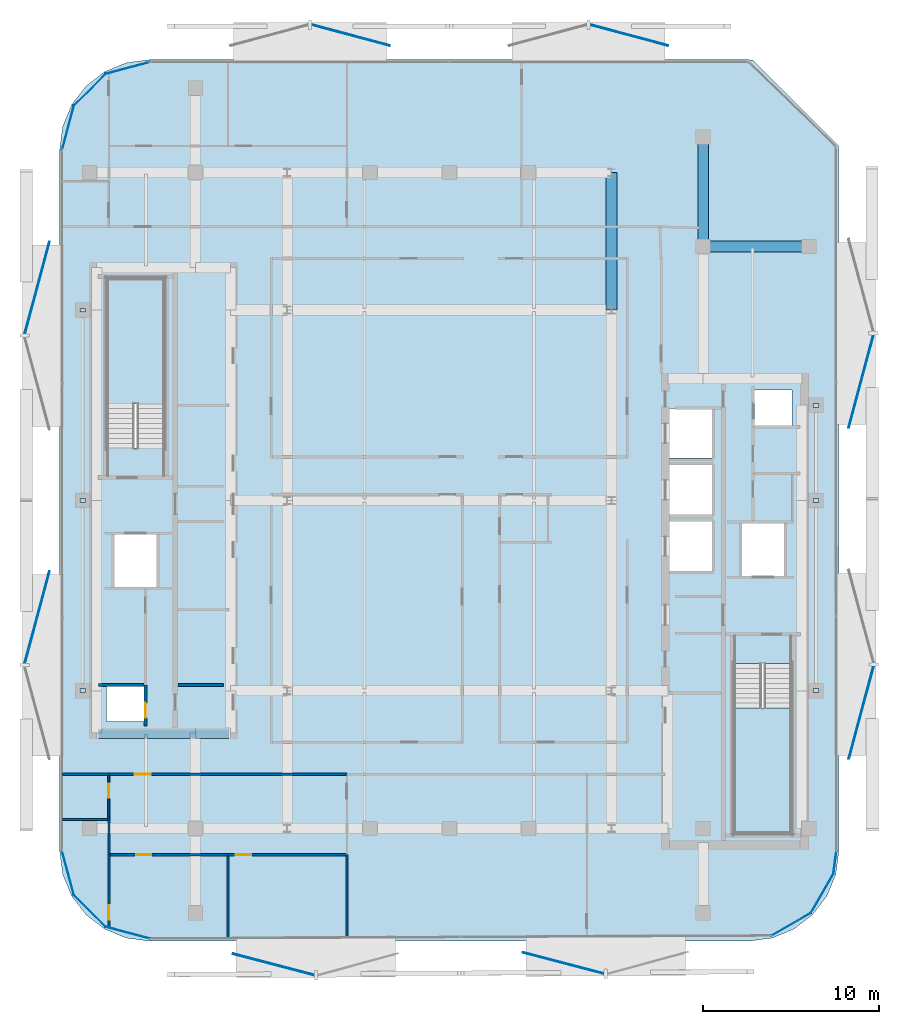
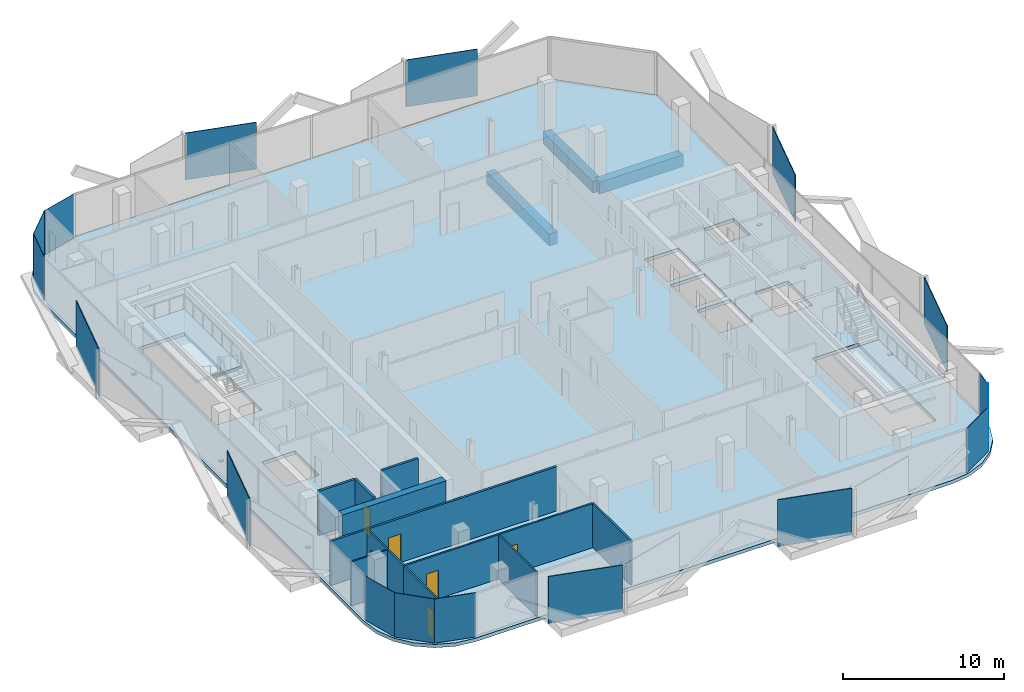
# One storey, part 2 of 14: 23 plates, 14 walls, 6 doors, 3 beams, 3 slabs, 6 openings, 2 elements without a shape of their own.
"""IFC4 building model written with IfcOpenShell, lengths in metres."""

from ifc_helpers import new_model, si_unit, direction, frame, frame_2d, origin, origin_2d, place, context, subcontext, project, spatial, polyline, rectangle, outline, extrude, material, layer, layer_set, material_profile, profile_set, type_object, element, fill, aggregate, save


model = new_model("IFC4")

# Units and contexts
model_context = context("Model", 3, precision=1e-05, world=origin(), true_north=direction((0.0, 1.0)))
body_context = subcontext(model_context, "Body", "Model", "MODEL_VIEW")
ifc_project = project(units=[si_unit("LENGTHUNIT", "METRE"), si_unit("AREAUNIT", "SQUARE_METRE"), si_unit("VOLUMEUNIT", "CUBIC_METRE"), si_unit("PLANEANGLEUNIT", "RADIAN"), si_unit("MASSUNIT", "GRAM", prefix="KILO")], contexts=[model_context])

# Site, building, storey
site_placement = place(None, origin())
site = spatial("IfcSite", under=ifc_project, at=site_placement, CompositionType="ELEMENT")
building_placement = place(site_placement, origin())
building = spatial("IfcBuilding", under=site, at=building_placement, Name="Khairoan Windgate Tower", CompositionType="ELEMENT")
storey_placement = place(building_placement, frame((0.0, 0.0, 240.39990234375)))
storey = spatial("IfcBuildingStorey", under=building, at=storey_placement, Name="L56", CompositionType="ELEMENT", Elevation=240.39990234375)

# Beams
ifc_material_1 = material(Name="Concrete C50/60", Category="concrete")
ifc_material_profile = material_profile(ifc_material_1, rectangle(XDim=0.60009765625, YDim=0.89990234375, at=origin_2d()))
ifc_profile_set = profile_set([ifc_material_profile], Name="Concrete C50/60")
beam_type = type_object("IfcBeamType", Name="Beam B-RC1 RC600x900", PredefinedType="BEAM", material=ifc_profile_set)
beam_1_placement = place(storey_placement, frame((14.39990234375, 14.39990234375, -0.7099609375), z_axis=(1.0, 0.0, 0.0), x_axis=(0.0, 1.0, 0.0)))
element("IfcBeam", 1, at=beam_1_placement, inside=storey, type_object=beam_type, Name="L56 E-W Primary Girder 21", PredefinedType="BEAM", context=body_context, shape_type="SweptSolid", body=[
    extrude(rectangle(XDim=0.60009765625, YDim=0.89990234375, at=origin_2d()), origin(), (0.0, 0.0, 1.0), 6.0),
])
beam_2_placement = place(storey_placement, frame((9.199951171875, 10.800048828125, -0.7099609375), z_axis=(0.0, 1.0, 0.0), x_axis=(-1.0, 0.0, 0.0)))
element("IfcBeam", 2, at=beam_2_placement, inside=storey, type_object=beam_type, Name="L56 N-S Primary Beam 49", PredefinedType="BEAM", context=body_context, shape_type="SweptSolid", body=[
    extrude(rectangle(XDim=0.60009765625, YDim=0.89990234375, at=origin_2d()), origin(), (0.0, 0.0, 1.0), 7.800048828125),
])
beam_3_placement = place(storey_placement, frame((14.39990234375, 14.39990234375, -0.7099609375), z_axis=(0.0, 1.0, 0.0), x_axis=(-1.0, 0.0, 0.0)))
element("IfcBeam", 3, at=beam_3_placement, inside=storey, type_object=beam_type, Name="L56 N-S Primary Beam 53", PredefinedType="BEAM", context=body_context, shape_type="SweptSolid", body=[
    extrude(rectangle(XDim=0.60009765625, YDim=0.89990234375, at=origin_2d()), origin(), (0.0, 0.0, 1.0), 6.2001953125),
])

# Plates
ifc_material_2 = material(Name="Low-E Solar Control Laminated Glass", Category="glass")
ifc_layer_1 = layer(ifc_material_2, 0.030029296875, Name="Low-E Solar Control Laminated Glass")
ifc_layer_set_1 = layer_set([ifc_layer_1], Name="Low-E Solar Control Laminated Glass")
plate_type_1 = type_object("IfcPlateType", Name="Aerodynamic Wind-Corner Curved Glazing Plate", PredefinedType="USERDEFINED", material=ifc_layer_set_1)
plate_1_placement = place(storey_placement, frame((-18.235107421875, -24.527099609375, 0.0), z_axis=(0.0, 0.0, 1.0), x_axis=(-0.966061211211, 0.258313252067, 0.0)))
element("IfcPlate", 4, at=plate_1_placement, inside=storey, type_object=plate_type_1, Name="L56 Aerodynamic Wind-Corner Curved Glazing Panel 2", ObjectType="GLAZING PANEL", PredefinedType="USERDEFINED", context=body_context, shape_type="SweptSolid", body=[
    extrude(rectangle(XDim=2.6162109375, YDim=0.030029296875, at=origin_2d()), origin(), (0.0, 0.0, 1.0), 3.340087890625),
])
plate_2_placement = place(storey_placement, frame((-20.386962890625, -23.286865234375, 0.0), z_axis=(0.0, 0.0, 1.0), x_axis=(-0.707106781187, 0.707106781187, 0.0)))
element("IfcPlate", 5, at=plate_2_placement, inside=storey, type_object=plate_type_1, Name="L56 Aerodynamic Wind-Corner Curved Glazing Panel 3", ObjectType="GLAZING PANEL", PredefinedType="USERDEFINED", context=body_context, shape_type="SweptSolid", body=[
    extrude(rectangle(XDim=2.606689453125, YDim=0.030029296875, at=origin_2d()), origin(), (0.0, 0.0, 1.0), 3.340087890625),
])
for number, where, z_axis, x_axis, name in (
    (6, (-21.627197265625, -21.135009765625, 0.0), (0.0, 0.0, 1.0), (-0.258313252067, 0.966061211211, 0.0), "L56 Aerodynamic Wind-Corner Curved Glazing Panel 4"),
    (7, (-21.627197265625, 21.135009765625, 0.0), (0.0, 0.0, 1.0), (0.258313252067, 0.966061211211, 0.0), "L56 Aerodynamic Wind-Corner Curved Glazing Panel 6"),
):
    element("IfcPlate", number, at=place(storey_placement, frame(where, z_axis=z_axis, x_axis=x_axis)), inside=storey, type_object=plate_type_1, Name=name, ObjectType="GLAZING PANEL", PredefinedType="USERDEFINED", context=body_context, shape_type="SweptSolid", body=[
        extrude(rectangle(XDim=2.6162109375, YDim=0.030029296875, at=origin_2d()), origin(), (0.0, 0.0, 1.0), 3.340087890625),
    ])
plate_3_placement = place(storey_placement, frame((-20.386962890625, 23.286865234375, 0.0), z_axis=(0.0, 0.0, 1.0), x_axis=(0.707106781187, 0.707106781187, 0.0)))
element("IfcPlate", 8, at=plate_3_placement, inside=storey, type_object=plate_type_1, Name="L56 Aerodynamic Wind-Corner Curved Glazing Panel 7", ObjectType="GLAZING PANEL", PredefinedType="USERDEFINED", context=body_context, shape_type="SweptSolid", body=[
    extrude(rectangle(XDim=2.606689453125, YDim=0.030029296875, at=origin_2d()), origin(), (0.0, 0.0, 1.0), 3.340087890625),
])
plate_4_placement = place(storey_placement, frame((-18.235107421875, 24.527099609375, 0.0), z_axis=(0.0, 0.0, 1.0), x_axis=(0.966061211211, 0.258313252067, 0.0)))
element("IfcPlate", 9, at=plate_4_placement, inside=storey, type_object=plate_type_1, Name="L56 Aerodynamic Wind-Corner Curved Glazing Panel 8", ObjectType="GLAZING PANEL", PredefinedType="USERDEFINED", context=body_context, shape_type="SweptSolid", body=[
    extrude(rectangle(XDim=2.6162109375, YDim=0.030029296875, at=origin_2d()), origin(), (0.0, 0.0, 1.0), 3.340087890625),
])
plate_5_placement = place(storey_placement, frame((21.875, -20.537109375, 0.0), z_axis=(0.0, 0.0, 1.0), x_axis=(-0.13052619222, -0.991444861374, 0.0)))
element("IfcPlate", 10, at=plate_5_placement, inside=storey, type_object=plate_type_1, Name="L56 Aerodynamic Wind-Corner Curved Glazing Panel 12", ObjectType="GLAZING PANEL", PredefinedType="USERDEFINED", context=body_context, shape_type="SweptSolid", body=[
    extrude(rectangle(XDim=1.343994140625, YDim=0.030029296875, at=origin_2d()), origin(), (0.0, 0.0, 1.0), 3.340087890625),
])
for number, where, z_axis, x_axis, name in (
    (11, (21.148193359375, -22.294921875, 0.0), (0.0, 0.0, 1.0), (-0.5, -0.866025403784, 0.0), "L56 Aerodynamic Wind-Corner Curved Glazing Panel 13"),
    (12, (19.39501953125, -24.048095703125, 0.0), (0.0, 0.0, 1.0), (-0.866025403784, -0.5, 0.0), "L56 Aerodynamic Wind-Corner Curved Glazing Panel 14"),
):
    element("IfcPlate", number, at=place(storey_placement, frame(where, z_axis=z_axis, x_axis=x_axis)), inside=storey, type_object=plate_type_1, Name=name, ObjectType="GLAZING PANEL", PredefinedType="USERDEFINED", context=body_context, shape_type="SweptSolid", body=[
        extrude(rectangle(XDim=2.606689453125, YDim=0.030029296875, at=origin_2d()), origin(), (0.0, 0.0, 1.0), 3.340087890625),
    ])
ifc_material_3 = material(Name="Steel S355", Category="steel")
ifc_layer_2 = layer(ifc_material_3, 0.0400390625, Name="Steel S355")
ifc_layer_set_2 = layer_set([ifc_layer_2], Name="Steel S355")
plate_type_2 = type_object("IfcPlateType", Name="Hollow Section End-Cap Plate PL-CAP40", PredefinedType="SHEET", material=ifc_layer_set_2)
for number, where, z_axis, x_axis, name in (
    (13, (-20.800048828125, -10.784912109375, -0.429931640625), (0.0, 0.0, 1.0), (0.0, 1.0, 0.0), "BM-SP-L56-028 steel end-cap plate 1"),
    (14, (-20.800048828125, -0.014892578125, -0.429931640625), (0.0, 0.0, 1.0), (0.0, 1.0, 0.0), "BM-SP-L56-028 steel end-cap plate 2"),
    (15, (-20.800048828125, 10.784912109375, -0.429931640625), (0.0, 0.0, 1.0), (0.0, 1.0, 0.0), "BM-SP-L56-029 steel end-cap plate 2"),
    (16, (20.800048828125, -10.784912109375, -0.429931640625), (0.0, 0.0, 1.0), (0.0, 1.0, 0.0), "BM-SP-L56-057 steel end-cap plate 1"),
    (17, (20.800048828125, -0.014892578125, -0.429931640625), (0.0, 0.0, 1.0), (0.0, 1.0, 0.0), "BM-SP-L56-057 steel end-cap plate 2"),
    (18, (20.800048828125, 5.385009765625, -0.429931640625), (0.0, 0.0, 1.0), (0.0, 1.0, 0.0), "BM-SP-L56-058 steel end-cap plate 2"),
):
    element("IfcPlate", number, at=place(storey_placement, frame(where, z_axis=z_axis, x_axis=x_axis)), inside=storey, type_object=plate_type_2, Name=name, PredefinedType="SHEET", context=body_context, shape_type="SweptSolid", body=[
        extrude(rectangle(XDim=0.219970703125, YDim=0.320068359375, at=origin_2d()), origin(), (0.0, 0.0, 1.0), 0.0400390625),
    ])
ifc_material_4 = material(Name="Anodised Bronze Aluminium 6063-T6", Category="aluminium")
ifc_layer_3 = layer(ifc_material_4, 0.054931640625, Name="Anodised Bronze Aluminium 6063-T6")
ifc_layer_set_3 = layer_set([ifc_layer_3], Name="Anodised Bronze Aluminium 6063-T6")
plate_type_3 = type_object("IfcPlateType", Name="Perforated Bronze Solar Screen Upper Panel BSP-2", PredefinedType="USERDEFINED", material=ifc_layer_set_3)
for number, where, z_axis, x_axis, name in (
    (19, (6.47998046875, -26.25, -0.099853515625), (0.0, 0.0, 1.0), (-0.967179115616, 0.254095569259, 0.0), "L56 Perforated Bronze Solar Screen Panel 377R"),
    (20, (-9.957275390625, -26.3291015625, -0.099853515625), (0.0, 0.0, 1.0), (-0.967179115616, 0.254095569259, 0.0), "L56 Perforated Bronze Solar Screen Panel 378R"),
):
    element("IfcPlate", number, at=place(storey_placement, frame(where, z_axis=z_axis, x_axis=x_axis)), inside=storey, type_object=plate_type_3, Name=name, ObjectType="SCREEN", PredefinedType="USERDEFINED", context=body_context, shape_type="SweptSolid", body=[
        extrude(rectangle(XDim=4.76708984375, YDim=0.054931640625, at=origin_2d()), origin(), (0.0, 0.0, 1.0), 3.5400390625),
    ])
for number, where, z_axis, x_axis, name in (
    (21, (-23.378662109375, -6.6376953125, -0.099853515625), (0.0, 0.0, 1.0), (0.258819045103, 0.965925826289, 0.0), "L56 Perforated Bronze Solar Screen Panel 379R"),
    (22, (-23.378662109375, 12.052978515625, -0.099853515625), (0.0, 0.0, 1.0), (0.258819045103, 0.965925826289, 0.0), "L56 Perforated Bronze Solar Screen Panel 380R"),
):
    element("IfcPlate", number, at=place(storey_placement, frame(where, z_axis=z_axis, x_axis=x_axis)), inside=storey, type_object=plate_type_3, Name=name, ObjectType="SCREEN", PredefinedType="USERDEFINED", context=body_context, shape_type="SweptSolid", body=[
        extrude(rectangle(XDim=5.419921875, YDim=0.054931640625, at=origin_2d()), origin(), (0.0, 0.0, 1.0), 3.5400390625),
    ])
for number, where, z_axis, x_axis, name in (
    (23, (-5.593994140625, 26.387451171875, -0.099853515625), (0.0, 0.0, 1.0), (0.965925826289, -0.258819045103, 0.0), "L56 Perforated Bronze Solar Screen Panel 381R"),
    (24, (10.197021484375, 26.387451171875, -0.099853515625), (0.0, 0.0, 1.0), (0.965925826289, -0.258819045103, 0.0), "L56 Perforated Bronze Solar Screen Panel 382R"),
):
    element("IfcPlate", number, at=place(storey_placement, frame(where, z_axis=z_axis, x_axis=x_axis)), inside=storey, type_object=plate_type_3, Name=name, ObjectType="SCREEN", PredefinedType="USERDEFINED", context=body_context, shape_type="SweptSolid", body=[
        extrude(rectangle(XDim=4.5791015625, YDim=0.054931640625, at=origin_2d()), origin(), (0.0, 0.0, 1.0), 3.5400390625),
    ])
for number, where, z_axis, x_axis, name in (
    (25, (23.360107421875, 6.756591796875, -0.099853515625), (0.0, 0.0, 1.0), (-0.258313252067, -0.966061211211, 0.0), "L56 Perforated Bronze Solar Screen Panel 383R"),
    (26, (23.37060546875, -12.021240234375, -0.099853515625), (0.0, 0.0, 1.0), (-0.258313252067, -0.966061211211, 0.0), "L56 Perforated Bronze Solar Screen Panel 384R"),
):
    element("IfcPlate", number, at=place(storey_placement, frame(where, z_axis=z_axis, x_axis=x_axis)), inside=storey, type_object=plate_type_3, Name=name, ObjectType="SCREEN", PredefinedType="USERDEFINED", context=body_context, shape_type="SweptSolid", body=[
        extrude(rectangle(XDim=5.446044921875, YDim=0.054931640625, at=origin_2d()), origin(), (0.0, 0.0, 1.0), 3.5400390625),
    ])

# Stair, slab
ifc_material_5 = material(Name="Concrete C40/50", Category="concrete")
stair_type = type_object("IfcStairType", Name="Tower Core Dog-Leg Stair ST-T1 1560mm", PredefinedType="HALF_TURN_STAIR", material=ifc_material_5)
stair_1_placement = place(storey_placement, origin())
stair_1 = element("IfcStair", 27, at=stair_1_placement, inside=storey, type_object=stair_type, Name="L56 Stair ST1", PredefinedType="HALF_TURN_STAIR")
ifc_material_6 = material(Name="Concrete C40/50", Category="concrete")
ifc_layer_4 = layer(ifc_material_6, 0.199951171875, Name="Concrete C40/50")
ifc_layer_set_4 = layer_set([ifc_layer_4], Name="Concrete C40/50")
slab_type_1 = type_object("IfcSlabType", Name="Reinforced Concrete Stair Landing Slab STL-200", PredefinedType="LANDING", material=ifc_layer_set_4)
slab_1_placement = place(storey_placement, frame((0.0, 0.0, 1.60009765625)))
slab_1 = element("IfcSlab", 28, at=slab_1_placement, type_object=slab_type_1, Name="ST1 landing 1", PredefinedType="LANDING", context=body_context, shape_type="SweptSolid", body=[
    extrude(outline(polyline([(16.14990234375, -11.780029296875), (16.14990234375, -18.89990234375), (19.419921875, -18.89990234375), (19.419921875, -11.780029296875), (16.14990234375, -11.780029296875)])), origin(), (0.0, 0.0, 1.0), 0.199951171875),
])
aggregate(stair_1, [slab_1])

stair_2_placement = place(storey_placement, origin())
stair_2 = element("IfcStair", 29, at=stair_2_placement, inside=storey, type_object=stair_type, Name="L56 Stair ST2", PredefinedType="HALF_TURN_STAIR")
slab_2_placement = place(storey_placement, frame((0.0, 0.0, 1.60009765625)))
slab_2 = element("IfcSlab", 30, at=slab_2_placement, type_object=slab_type_1, Name="ST2 landing 1", PredefinedType="LANDING", context=body_context, shape_type="SweptSolid", body=[
    extrude(outline(polyline([(-16.14990234375, 5.47998046875), (-16.14990234375, 12.60009765625), (-19.419921875, 12.60009765625), (-19.419921875, 5.47998046875), (-16.14990234375, 5.47998046875)])), origin(), (0.0, 0.0, 1.0), 0.199951171875),
])
aggregate(stair_2, [slab_2])

# Slab
ifc_material_7 = material(Name="Concrete C40/50", Category="concrete")
ifc_layer_5 = layer(ifc_material_7, 0.260009765625, Name="Concrete C40/50")
ifc_layer_set_5 = layer_set([ifc_layer_5], Name="Concrete C40/50")
slab_type_2 = type_object("IfcSlabType", Name="Tower Composite Floor Slab FS2 260mm", PredefinedType="FLOOR", material=ifc_layer_set_5)
slab_3_placement = place(storey_placement, frame((0.0, 0.0, -0.260009765625)))
element("IfcSlab", 31, at=slab_3_placement, inside=storey, type_object=slab_type_2, Name="L56 Structural Floor Slab", PredefinedType="FLOOR", context=body_context, shape_type="SweptSolid", body=[
    extrude(outline(polyline([(17.0, -25.0), (18.320068359375, -24.826171875), (19.550048828125, -24.316650390625), (20.606201171875, -23.506103515625), (21.416748046875, -22.449951171875), (21.92626953125, -21.219970703125), (22.10009765625, -19.89990234375), (22.10009765625, 19.89990234375), (22.069580078125, 20.13037109375), (17.230224609375, 24.9697265625), (17.0, 25.0), (-17.0, 25.0), (-18.320068359375, 24.826171875), (-19.550048828125, 24.316650390625), (-20.606201171875, 23.506103515625), (-21.416748046875, 22.449951171875), (-21.92626953125, 21.219970703125), (-22.10009765625, 19.89990234375), (-22.10009765625, -19.89990234375), (-21.92626953125, -21.219970703125), (-21.416748046875, -22.449951171875), (-20.606201171875, -23.506103515625), (-19.550048828125, -24.316650390625), (-18.320068359375, -24.826171875), (-17.0, -25.0), (17.0, -25.0)]), holes=[polyline([(16.14990234375, -9.260009765625), (16.14990234375, -18.89990234375), (19.419921875, -18.89990234375), (19.419921875, -9.260009765625), (16.14990234375, -9.260009765625)]), polyline([(-16.14990234375, 2.9599609375), (-16.14990234375, 12.60009765625), (-19.419921875, 12.60009765625), (-19.419921875, 2.9599609375), (-16.14990234375, 2.9599609375)]), polyline([(12.5, 2.39990234375), (14.89990234375, 2.39990234375), (14.89990234375, 5.199951171875), (12.5, 5.199951171875), (12.5, 2.39990234375)]), polyline([(12.5, -0.800048828125), (14.89990234375, -0.800048828125), (14.89990234375, 2.0), (12.5, 2.0), (12.5, -0.800048828125)]), polyline([(12.5, -4.0), (14.89990234375, -4.0), (14.89990234375, -1.199951171875), (12.5, -1.199951171875), (12.5, -4.0)]), polyline([(16.60009765625, -4.300048828125), (19.0, -4.300048828125), (19.0, -1.300048828125), (16.60009765625, -1.300048828125), (16.60009765625, -4.300048828125)]), polyline([(-19.0, -4.89990234375), (-16.60009765625, -4.89990234375), (-16.60009765625, -1.89990234375), (-19.0, -1.89990234375), (-19.0, -4.89990234375)]), polyline([(-19.449951171875, -12.550048828125), (-17.31005859375, -12.550048828125), (-17.31005859375, -10.550048828125), (-19.449951171875, -10.550048828125), (-19.449951171875, -12.550048828125)]), polyline([(17.31005859375, 4.25), (19.449951171875, 4.25), (19.449951171875, 6.25), (17.31005859375, 6.25), (17.31005859375, 4.25)])]), origin(), (0.0, 0.0, 1.0), 0.260009765625),
])

# Wall
ifc_material_8 = material(Name="Moisture-Resistant Gypsum Partition", Category="gypsum")
ifc_layer_6 = layer(ifc_material_8, 0.10009765625, Name="Moisture-Resistant Gypsum Partition")
ifc_layer_set_6 = layer_set([ifc_layer_6], Name="Moisture-Resistant Gypsum Partition")
wall_type_1 = type_object("IfcWallType", Name="Bathroom Wet-Area Partition Wall", PredefinedType="PARTITIONING", material=ifc_layer_set_6)
wall_1_placement = place(storey_placement, frame((-21.955078125, -18.10009765625, 0.0), z_axis=(0.0, 0.0, 1.0), x_axis=(1.0, 0.0, 0.0)))
element("IfcWall", 32, at=wall_1_placement, inside=storey, type_object=wall_type_1, Name="L56 Interior Partition 048", PredefinedType="PARTITIONING", context=body_context, shape_type="SweptSolid", body=[
    extrude(rectangle(XDim=2.594970703125, YDim=0.10009765625, at=frame_2d((1.29736328125, 0.0))), origin(), (0.0, 0.0, 1.0), 3.340087890625),
])

# Wall, opening, door
wall_2_placement = place(storey_placement, frame((-19.31005859375, -18.10009765625, 0.0), z_axis=(0.0, 0.0, 1.0), x_axis=(0.0, 1.0, 0.0)))
wall_2 = element("IfcWall", 33, at=wall_2_placement, inside=storey, type_object=wall_type_1, Name="L56 Interior Partition 049", PredefinedType="PARTITIONING", context=body_context, shape_type="SweptSolid", body=[
    extrude(rectangle(XDim=2.5, YDim=0.10009765625, at=frame_2d((1.25, 0.0))), origin(), (0.0, 0.0, 1.0), 3.340087890625),
])
opening_1_placement = place(wall_2_placement, frame((1.239990234375, 0.0, 0.0)))
opening_1 = element("IfcOpeningElement", 34, at=opening_1_placement, cuts=wall_2, Name="Opening ID-BTH", PredefinedType="OPENING", context=body_context, shape_type="SweptSolid", body=[
    extrude(rectangle(XDim=0.800048828125, YDim=2.10009765625, at=frame_2d((0.39990234375, 1.050048828125))), frame((0.0, 0.06005859375, 0.0), z_axis=(0.0, -1.0, 0.0), x_axis=(1.0, 0.0, 0.0)), (0.0, 0.0, 1.0), 0.1201171875),
])
ifc_material_9 = material(Name="Teak Veneer Timber Leaf", Category="wood")
door_type_1 = type_object("IfcDoorType", Name="Internal Bathroom Door ID-BTH 800x2100", OperationType="NOTDEFINED", PredefinedType="DOOR", material=ifc_material_9)
door_1_placement = place(opening_1_placement, origin())
door_1 = element("IfcDoor", 35, at=door_1_placement, inside=storey, type_object=door_type_1, Name="L56 L56-40-L56-42 Door", OperationType="SINGLE_SWING_LEFT", OverallHeight=2.10009765625, OverallWidth=0.800048828125, PredefinedType="DOOR", context=body_context, shape_type="SweptSolid", body=[
    extrude(rectangle(XDim=0.800048828125, YDim=2.10009765625, at=frame_2d((0.39990234375, 1.050048828125))), frame((0.0, 0.02490234375, 0.0), z_axis=(0.0, -1.0, 0.0), x_axis=(1.0, 0.0, 0.0)), (0.0, 0.0, 1.0), 0.050048828125),
])
fill(opening_1, door_1)

# Walls
ifc_material_10 = material(Name="Concrete C40/50", Category="concrete")
ifc_layer_7 = layer(ifc_material_10, 0.159912109375, Name="Concrete C40/50")
ifc_layer_set_7 = layer_set([ifc_layer_7], Name="Concrete C40/50")
wall_type_2 = type_object("IfcWallType", Name="Core and Hoistway Enclosure Wall", PredefinedType="STANDARD", material=ifc_layer_set_7)
wall_3_placement = place(storey_placement, frame((-15.39990234375, -10.47998046875, 0.0), z_axis=(0.0, 0.0, 1.0), x_axis=(1.0, 0.0, 0.0)))
element("IfcWall", 36, at=wall_3_placement, inside=storey, type_object=wall_type_2, Name="L56 Core Shaft Wall SW-WSV-L56", PredefinedType="STANDARD", context=body_context, shape_type="SweptSolid", body=[
    extrude(rectangle(XDim=2.599853515625, YDim=0.159912109375, at=frame_2d((1.2998046875, 0.0))), origin(), (0.0, 0.0, 1.0), 3.340087890625),
])
ifc_material_11 = material(Name="Gypsum Stud Partition", Category="gypsum")
ifc_layer_8 = layer(ifc_material_11, 0.1201171875, Name="Gypsum Stud Partition")
ifc_layer_set_8 = layer_set([ifc_layer_8], Name="Gypsum Stud Partition")
wall_type_3 = type_object("IfcWallType", Name="Internal Room Partition Wall", PredefinedType="PARTITIONING", material=ifc_layer_set_8)
wall_4_placement = place(storey_placement, frame((-19.31005859375, -20.10009765625, 0.0), z_axis=(0.0, 0.0, 1.0), x_axis=(0.0, 1.0, 0.0)))
element("IfcWall", 37, at=wall_4_placement, inside=storey, type_object=wall_type_3, Name="L56 Interior Partition 050", PredefinedType="PARTITIONING", context=body_context, shape_type="SweptSolid", body=[
    extrude(rectangle(XDim=2.0, YDim=0.1201171875, at=frame_2d((1.0, 0.0))), origin(), (0.0, 0.0, 1.0), 3.340087890625),
])

# Wall, opening, door
wall_5_placement = place(storey_placement, frame((-19.31005859375, -24.234619140625, 0.0), z_axis=(0.0, 0.0, 1.0), x_axis=(0.0, 1.0, 0.0)))
wall_5 = element("IfcWall", 38, at=wall_5_placement, inside=storey, type_object=wall_type_3, Name="L56 Interior Partition 051", PredefinedType="PARTITIONING", context=body_context, shape_type="SweptSolid", body=[
    extrude(rectangle(XDim=4.134521484375, YDim=0.1201171875, at=frame_2d((2.0673828125, 0.0))), origin(), (0.0, 0.0, 1.0), 3.340087890625),
])
opening_2_placement = place(wall_5_placement, frame((0.4599609375, 0.0, 0.0)))
opening_2 = element("IfcOpeningElement", 39, at=opening_2_placement, cuts=wall_5, Name="Opening ID-BTH", PredefinedType="OPENING", context=body_context, shape_type="SweptSolid", body=[
    extrude(rectangle(XDim=0.800048828125, YDim=2.10009765625, at=frame_2d((0.39990234375, 1.050048828125))), frame((0.0, 0.070068359375, 0.0), z_axis=(0.0, -1.0, 0.0), x_axis=(1.0, 0.0, 0.0)), (0.0, 0.0, 1.0), 0.14013671875),
])
door_2_placement = place(opening_2_placement, origin())
door_2 = element("IfcDoor", 40, at=door_2_placement, inside=storey, type_object=door_type_1, Name="L56 L56-41-L56-45 Door", OperationType="SINGLE_SWING_LEFT", OverallHeight=2.10009765625, OverallWidth=0.800048828125, PredefinedType="DOOR", context=body_context, shape_type="SweptSolid", body=[
    extrude(rectangle(XDim=0.800048828125, YDim=2.10009765625, at=frame_2d((0.39990234375, 1.050048828125))), frame((0.0, 0.02490234375, 0.0), z_axis=(0.0, -1.0, 0.0), x_axis=(1.0, 0.0, 0.0)), (0.0, 0.0, 1.0), 0.050048828125),
])
fill(opening_2, door_2)

wall_6_placement = place(storey_placement, frame((-19.25, -20.10009765625, 0.0), z_axis=(0.0, 0.0, 1.0), x_axis=(1.0, 0.0, 0.0)))
wall_6 = element("IfcWall", 41, at=wall_6_placement, inside=storey, type_object=wall_type_3, Name="L56 Interior Partition 053", PredefinedType="PARTITIONING", context=body_context, shape_type="SweptSolid", body=[
    extrude(rectangle(XDim=6.68994140625, YDim=0.1201171875, at=frame_2d((3.344970703125, 0.0))), origin(), (0.0, 0.0, 1.0), 3.340087890625),
])
opening_3_placement = place(wall_6_placement, frame((1.48291015625, 0.0, 0.0)))
opening_3 = element("IfcOpeningElement", 42, at=opening_3_placement, cuts=wall_6, Name="Opening ID-RM", PredefinedType="OPENING", context=body_context, shape_type="SweptSolid", body=[
    extrude(rectangle(XDim=0.860107421875, YDim=2.14990234375, at=frame_2d((0.43017578125, 1.074951171875))), frame((0.0, 0.070068359375, 0.0), z_axis=(0.0, -1.0, 0.0), x_axis=(1.0, 0.0, 0.0)), (0.0, 0.0, 1.0), 0.14013671875),
])
ifc_material_12 = material(Name="Teak Veneer Timber Leaf", Category="wood")
door_type_2 = type_object("IfcDoorType", Name="Internal Bedroom and Office Door ID-RM 860x2150", OperationType="NOTDEFINED", PredefinedType="DOOR", material=ifc_material_12)
door_3_placement = place(opening_3_placement, origin())
door_3 = element("IfcDoor", 43, at=door_3_placement, inside=storey, type_object=door_type_2, Name="L56 L56-42-L56-45 Door", OperationType="SINGLE_SWING_RIGHT", OverallHeight=2.14990234375, OverallWidth=0.860107421875, PredefinedType="DOOR", context=body_context, shape_type="SweptSolid", body=[
    extrude(rectangle(XDim=0.860107421875, YDim=2.14990234375, at=frame_2d((0.43017578125, 1.074951171875))), frame((0.0, 0.02490234375, 0.0), z_axis=(0.0, -1.0, 0.0), x_axis=(1.0, 0.0, 0.0)), (0.0, 0.0, 1.0), 0.050048828125),
])
fill(opening_3, door_3)

wall_7_placement = place(storey_placement, frame((-12.56005859375, -20.10009765625, 0.0), z_axis=(0.0, 0.0, 1.0), x_axis=(1.0, 0.0, 0.0)))
wall_7 = element("IfcWall", 44, at=wall_7_placement, inside=storey, type_object=wall_type_3, Name="L56 Interior Partition 054", PredefinedType="PARTITIONING", context=body_context, shape_type="SweptSolid", body=[
    extrude(rectangle(XDim=6.68994140625, YDim=0.1201171875, at=frame_2d((3.344970703125, 0.0))), origin(), (0.0, 0.0, 1.0), 3.340087890625),
])
opening_4_placement = place(wall_7_placement, frame((0.4599609375, 0.0, 0.0)))
opening_4 = element("IfcOpeningElement", 45, at=opening_4_placement, cuts=wall_7, Name="Opening ID-RM", PredefinedType="OPENING", context=body_context, shape_type="SweptSolid", body=[
    extrude(rectangle(XDim=0.860107421875, YDim=2.14990234375, at=frame_2d((0.43017578125, 1.074951171875))), frame((0.0, 0.070068359375, 0.0), z_axis=(0.0, -1.0, 0.0), x_axis=(1.0, 0.0, 0.0)), (0.0, 0.0, 1.0), 0.14013671875),
])
door_4_placement = place(opening_4_placement, origin())
door_4 = element("IfcDoor", 46, at=door_4_placement, inside=storey, type_object=door_type_2, Name="L56 L56-42-L56-46 Door", OperationType="SINGLE_SWING_LEFT", OverallHeight=2.14990234375, OverallWidth=0.860107421875, PredefinedType="DOOR", context=body_context, shape_type="SweptSolid", body=[
    extrude(rectangle(XDim=0.860107421875, YDim=2.14990234375, at=frame_2d((0.43017578125, 1.074951171875))), frame((0.0, 0.02490234375, 0.0), z_axis=(0.0, -1.0, 0.0), x_axis=(1.0, 0.0, 0.0)), (0.0, 0.0, 1.0), 0.050048828125),
])
fill(opening_4, door_4)

# Walls
wall_8_placement = place(storey_placement, frame((-5.81005859375, -24.801025390625, 0.0), z_axis=(0.0, 0.0, 1.0), x_axis=(0.0, 1.0, 0.0)))
element("IfcWall", 47, at=wall_8_placement, inside=storey, type_object=wall_type_3, Name="L56 Interior Partition 056", PredefinedType="PARTITIONING", context=body_context, shape_type="SweptSolid", body=[
    extrude(rectangle(XDim=4.700927734375, YDim=0.1201171875, at=frame_2d((2.3505859375, 0.0))), origin(), (0.0, 0.0, 1.0), 3.340087890625),
])
wall_9_placement = place(storey_placement, frame((-12.56005859375, -24.83349609375, 0.0), z_axis=(0.0, 0.0, 1.0), x_axis=(0.0, 1.0, 0.0)))
element("IfcWall", 48, at=wall_9_placement, inside=storey, type_object=wall_type_3, Name="L56 Interior Partition 057", PredefinedType="PARTITIONING", context=body_context, shape_type="SweptSolid", body=[
    extrude(rectangle(XDim=4.673583984375, YDim=0.1201171875, at=frame_2d((2.3369140625, 0.0))), origin(), (0.0, 0.0, 1.0), 3.340087890625),
])

# Wall, opening, door
ifc_material_13 = material(Name="Concrete C40/50", Category="concrete")
ifc_layer_9 = layer(ifc_material_13, 0.159912109375, Name="Concrete C40/50")
ifc_layer_set_9 = layer_set([ifc_layer_9], Name="Concrete C40/50")
wall_type_4 = type_object("IfcWallType", Name="Plant and Refuge Compartment Wall", PredefinedType="PARTITIONING", material=ifc_layer_set_9)
wall_10_placement = place(storey_placement, frame((-17.22998046875, -12.7900390625, 0.0), z_axis=(0.0, 0.0, 1.0), x_axis=(0.0, 1.0, 0.0)))
wall_10 = element("IfcWall", 49, at=wall_10_placement, inside=storey, type_object=wall_type_4, Name="L56 Interior Partition 001", PredefinedType="PARTITIONING", context=body_context, shape_type="SweptSolid", body=[
    extrude(rectangle(XDim=2.320068359375, YDim=0.159912109375, at=frame_2d((1.16015625, 0.0))), origin(), (0.0, 0.0, 1.0), 3.340087890625),
])
opening_5_placement = place(wall_10_placement, frame((0.4599609375, 0.0, 0.0)))
opening_5 = element("IfcOpeningElement", 50, at=opening_5_placement, cuts=wall_10, Name="Opening FD-SRV", PredefinedType="OPENING", context=body_context, shape_type="SweptSolid", body=[
    extrude(rectangle(XDim=0.85009765625, YDim=2.10009765625, at=frame_2d((0.425048828125, 1.050048828125))), frame((0.0, 0.08984375, 0.0), z_axis=(0.0, -1.0, 0.0), x_axis=(1.0, 0.0, 0.0)), (0.0, 0.0, 1.0), 0.179931640625),
])
ifc_material_14 = material(Name="Steel S355", Category="steel")
door_type_3 = type_object("IfcDoorType", Name="Core Service and Riser Fire Door FD-SRV 850x2100", OperationType="NOTDEFINED", PredefinedType="DOOR", material=ifc_material_14)
door_5_placement = place(opening_5_placement, origin())
door_5 = element("IfcDoor", 51, at=door_5_placement, inside=storey, type_object=door_type_3, Name="L56 L56-04-L56-05 Door", OperationType="SINGLE_SWING_RIGHT", OverallHeight=2.10009765625, OverallWidth=0.85009765625, PredefinedType="DOOR", context=body_context, shape_type="SweptSolid", body=[
    extrude(rectangle(XDim=0.85009765625, YDim=2.10009765625, at=frame_2d((0.425048828125, 1.050048828125))), frame((0.0, 0.02490234375, 0.0), z_axis=(0.0, -1.0, 0.0), x_axis=(1.0, 0.0, 0.0)), (0.0, 0.0, 1.0), 0.050048828125),
])
fill(opening_5, door_5)

# Walls
wall_11_placement = place(storey_placement, frame((-19.89990234375, -10.469970703125, 0.0), z_axis=(0.0, 0.0, 1.0), x_axis=(1.0, 0.0, 0.0)))
element("IfcWall", 52, at=wall_11_placement, inside=storey, type_object=wall_type_4, Name="L56 Interior Partition 003", PredefinedType="PARTITIONING", context=body_context, shape_type="SweptSolid", body=[
    extrude(rectangle(XDim=2.58984375, YDim=0.159912109375, at=frame_2d((1.294921875, 0.0))), origin(), (0.0, 0.0, 1.0), 3.340087890625),
])
ifc_material_15 = material(Name="Acoustic Fire-Rated Gypsum Partition", Category="gypsum")
ifc_layer_10 = layer(ifc_material_15, 0.14990234375, Name="Acoustic Fire-Rated Gypsum Partition")
ifc_layer_set_10 = layer_set([ifc_layer_10], Name="Acoustic Fire-Rated Gypsum Partition")
wall_type_5 = type_object("IfcWallType", Name="Rated Corridor Partition Wall", PredefinedType="PARTITIONING", material=ifc_layer_set_10)
wall_12_placement = place(storey_placement, frame((-21.955078125, -15.52490234375, 0.0), z_axis=(0.0, 0.0, 1.0), x_axis=(1.0, 0.0, 0.0)))
element("IfcWall", 53, at=wall_12_placement, inside=storey, type_object=wall_type_5, Name="L56 Interior Partition 031", PredefinedType="PARTITIONING", context=body_context, shape_type="SweptSolid", body=[
    extrude(rectangle(XDim=2.64501953125, YDim=0.14990234375, at=frame_2d((1.322509765625, 0.0))), origin(), (0.0, 0.0, 1.0), 3.340087890625),
])

# Wall, opening, door
wall_13_placement = place(storey_placement, frame((-19.31005859375, -15.52490234375, 0.0), z_axis=(0.0, 0.0, 1.0), x_axis=(1.0, 0.0, 0.0)))
wall_13 = element("IfcWall", 54, at=wall_13_placement, inside=storey, type_object=wall_type_5, Name="L56 Interior Partition 032", PredefinedType="PARTITIONING", context=body_context, shape_type="SweptSolid", body=[
    extrude(rectangle(XDim=13.5, YDim=0.14990234375, at=frame_2d((6.75, 0.0))), origin(), (0.0, 0.0, 1.0), 3.340087890625),
])
opening_6_placement = place(wall_13_placement, frame((1.466796875, 0.0, 0.0)))
opening_6 = element("IfcOpeningElement", 55, at=opening_6_placement, cuts=wall_13, Name="Opening FD-ENT", PredefinedType="OPENING", context=body_context, shape_type="SweptSolid", body=[
    extrude(rectangle(XDim=0.89990234375, YDim=2.14990234375, at=frame_2d((0.449951171875, 1.074951171875))), frame((0.0, 0.0849609375, 0.0), z_axis=(0.0, -1.0, 0.0), x_axis=(1.0, 0.0, 0.0)), (0.0, 0.0, 1.0), 0.169921875),
])
ifc_material_16 = material(Name="Timber Fire-Rated Core", Category="wood")
door_type_4 = type_object("IfcDoorType", Name="Unit and Office Fire Entrance Door FD-ENT 900x2150", OperationType="NOTDEFINED", PredefinedType="DOOR", material=ifc_material_16)
door_6_placement = place(opening_6_placement, origin())
door_6 = element("IfcDoor", 56, at=door_6_placement, inside=storey, type_object=door_type_4, Name="L56 L56-32-L56-42 Door", OperationType="SINGLE_SWING_LEFT", OverallHeight=2.14990234375, OverallWidth=0.89990234375, PredefinedType="DOOR", context=body_context, shape_type="SweptSolid", body=[
    extrude(rectangle(XDim=0.89990234375, YDim=2.14990234375, at=frame_2d((0.449951171875, 1.074951171875))), frame((0.0, 0.02490234375, 0.0), z_axis=(0.0, -1.0, 0.0), x_axis=(1.0, 0.0, 0.0)), (0.0, 0.0, 1.0), 0.050048828125),
])
fill(opening_6, door_6)

# Wall
ifc_material_17 = material(Name="Concrete C50/60", Category="concrete")
ifc_layer_11 = layer(ifc_material_17, 0.5, Name="Concrete C50/60")
ifc_layer_set_11 = layer_set([ifc_layer_11], Name="Concrete C50/60")
wall_type_6 = type_object("IfcWallType", Name="Shear Wall CW-W3 500mm", PredefinedType="SHEAR", material=ifc_layer_set_11)
wall_14_placement = place(storey_placement, frame((-19.89990234375, -13.25, 0.0), z_axis=(0.0, 0.0, 1.0), x_axis=(1.0, 0.0, 0.0)))
element("IfcWall", 57, at=wall_14_placement, inside=storey, type_object=wall_type_6, Name="W Core South Shear Wall L56", PredefinedType="SHEAR", context=body_context, shape_type="SweptSolid", body=[
    extrude(rectangle(XDim=7.39990234375, YDim=0.5, at=frame_2d((3.699951171875, 0.0))), origin(), (0.0, 0.0, 1.0), 3.340087890625),
])

save(model, "model.ifc")
